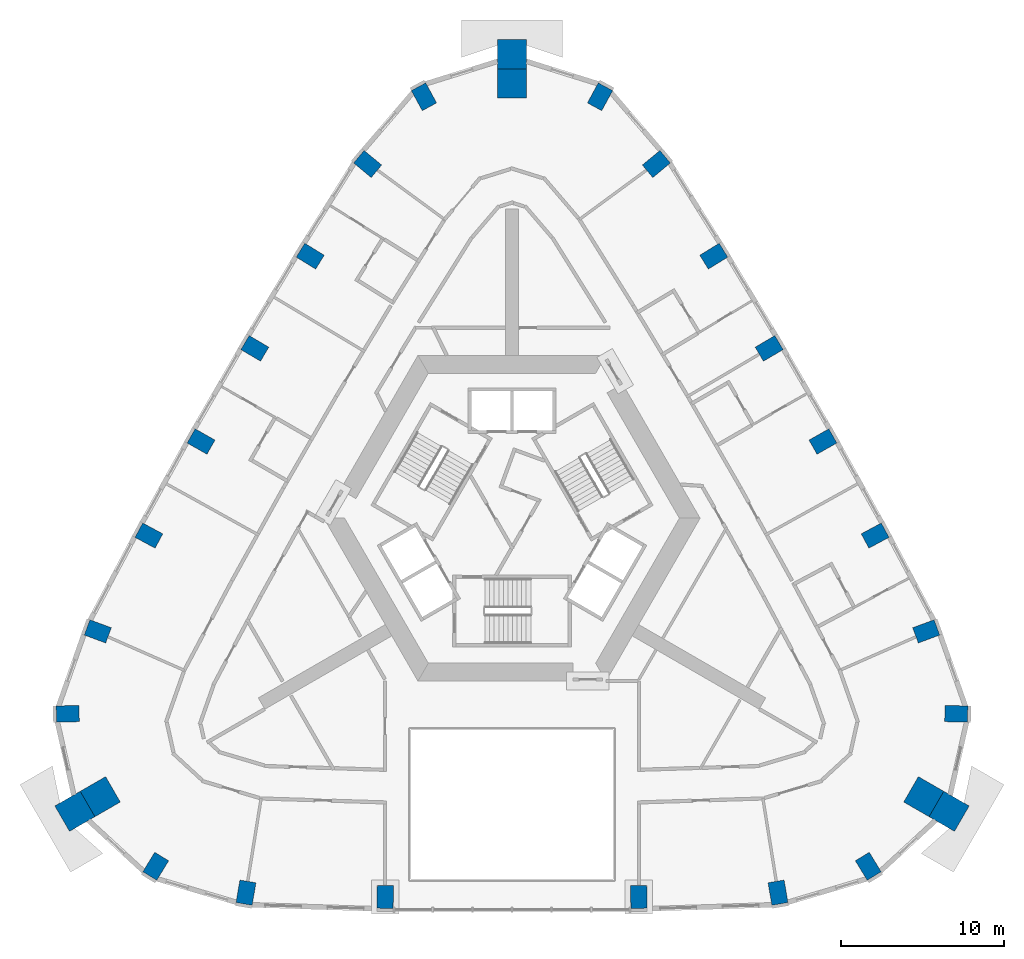
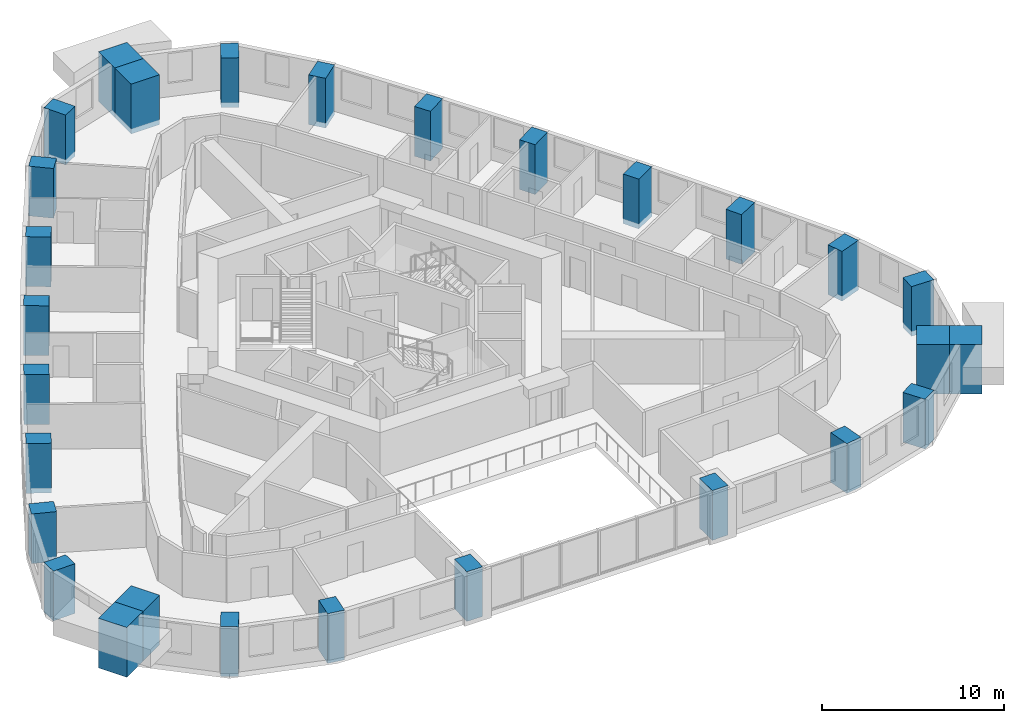
# One storey, part 1 of 12: 28 columns.
"""IFC4 building model written with IfcOpenShell, lengths in metres."""

from ifc_helpers import new_model, si_unit, direction, frame, origin, origin_2d, place, context, subcontext, project, spatial, rectangle, extrude, material, material_profile, profile_set, type_object, element, save


model = new_model("IFC4")

# Units and contexts
model_context = context("Model", 3, precision=1e-05, world=origin(), true_north=direction((0.0, 1.0)))
body_context = subcontext(model_context, "Body", "Model", "MODEL_VIEW")
ifc_project = project(units=[si_unit("LENGTHUNIT", "METRE"), si_unit("AREAUNIT", "SQUARE_METRE"), si_unit("VOLUMEUNIT", "CUBIC_METRE"), si_unit("PLANEANGLEUNIT", "RADIAN"), si_unit("MASSUNIT", "GRAM", prefix="KILO")], contexts=[model_context])

# Site, building, storey
site_placement = place(None, origin())
site = spatial("IfcSite", under=ifc_project, at=site_placement, CompositionType="ELEMENT")
building_placement = place(site_placement, origin())
building = spatial("IfcBuilding", under=site, at=building_placement, Name="Entoto Arch Interchange Tower", CompositionType="ELEMENT")
storey_placement = place(building_placement, frame((0.0, 0.0, 277.39990234375)))
storey = spatial("IfcBuildingStorey", under=building, at=storey_placement, Name="L64", CompositionType="ELEMENT", Elevation=277.39990234375)

# Columns
ifc_material_1 = material(Name="Concrete C40/50", Category="concrete")
ifc_material_profile_1 = material_profile(ifc_material_1, rectangle(XDim=1.0, YDim=1.39990234375, at=origin_2d()))
ifc_profile_set_1 = profile_set([ifc_material_profile_1], Name="Concrete C40/50")
column_type_1 = type_object("IfcColumnType", Name="Column RC 1000x1400 C40/50", PredefinedType="COLUMN", material=ifc_profile_set_1)
for number, where, z_axis, x_axis, name in (
    (1, (-16.330078125, -20.487060546875, -0.33984375), (0.0, 0.0, 1.0), (-0.985952343326, 0.167026874157, 0.0), "Column S01 L64"),
    (2, (-7.783935546875, -20.75, -0.33984375), (0.0, 0.0, 1.0), (-0.999832723398, 0.018290030661, 0.0), "Column S02 L64"),
    (3, (7.783935546875, -20.75, -0.33984375), (0.0, 0.0, 1.0), (0.999832723398, 0.018290030661, 0.0), "Column S03 L64"),
    (4, (16.330078125, -20.487060546875, -0.33984375), (0.0, 0.0, 1.0), (0.985952343326, 0.167026874157, 0.0), "Column S04 L64"),
    (5, (21.87109375, -18.866943359375, -0.33984375), (0.0, 0.0, 1.0), (0.853341581839, 0.521352227103, 0.0), "Column SE1 L64"),
    (6, (27.27392578125, -9.507080078125, -0.33984375), (0.0, 0.0, 1.0), (0.024833482072, 0.999691601529, 0.0), "Column SE3 L64"),
    (7, (25.428955078125, -4.447998046875, -0.33984375), (0.0, 0.0, 1.0), (-0.346853804003, 0.937919206888, 0.0), "Column NE01 L64"),
    (8, (22.2919921875, 1.43310546875, -0.33984375), (0.0, 0.0, 1.0), (-0.473980634908, 0.880535267739, 0.0), "Column NE02 L64"),
    (9, (19.089111328125, 7.2080078125, -0.33984375), (0.0, 0.0, 1.0), (-0.491375053773, 0.870948079124, 0.0), "Column NE03 L64"),
    (10, (15.787109375, 12.927001953125, -0.33984375), (0.0, 0.0, 1.0), (-0.508575635012, 0.861017318916, 0.0), "Column NE04 L64"),
    (11, (12.386962890625, 18.587890625, -0.33984375), (0.0, 0.0, 1.0), (-0.525575593337, 0.850746904601, 0.0), "Column NE05 L64"),
    (12, (8.862060546875, 24.24609375, -0.33984375), (0.0, 0.0, 1.0), (-0.638834957861, 0.769343809109, 0.0), "Column NE06 L64"),
    (13, (5.403076171875, 28.3740234375, -0.33984375), (0.0, 0.0, 1.0), (-0.87817506391, 0.478339374426, 0.0), "Column N1 L64"),
    (14, (-5.403076171875, 28.3740234375, -0.33984375), (0.0, 0.0, 1.0), (0.87817506391, 0.478339374426, 0.0), "Column N3 L64"),
    (15, (-8.862060546875, 24.24609375, -0.33984375), (0.0, 0.0, 1.0), (0.638834957861, 0.769343809109, 0.0), "Column NW01 L64"),
    (16, (-12.386962890625, 18.587890625, -0.33984375), (0.0, 0.0, 1.0), (0.525575593337, 0.850746904601, 0.0), "Column NW02 L64"),
    (17, (-15.787109375, 12.927001953125, -0.33984375), (0.0, 0.0, 1.0), (0.508575635012, 0.861017318916, 0.0), "Column NW03 L64"),
    (18, (-19.089111328125, 7.2080078125, -0.33984375), (0.0, 0.0, 1.0), (0.491375053773, 0.870948079124, 0.0), "Column NW04 L64"),
    (19, (-22.2919921875, 1.43310546875, -0.33984375), (0.0, 0.0, 1.0), (0.473980634908, 0.880535267739, 0.0), "Column NW05 L64"),
    (20, (-25.428955078125, -4.447998046875, -0.33984375), (0.0, 0.0, 1.0), (0.346853804003, 0.937919206888, 0.0), "Column NW06 L64"),
    (21, (-27.27392578125, -9.507080078125, -0.33984375), (0.0, 0.0, 1.0), (-0.024833482072, 0.999691601529, 0.0), "Column SW1 L64"),
    (22, (-21.87109375, -18.866943359375, -0.33984375), (0.0, 0.0, 1.0), (-0.853341581839, 0.521352227103, 0.0), "Column SW3 L64"),
):
    element("IfcColumn", number, at=place(storey_placement, frame(where, z_axis=z_axis, x_axis=x_axis)), inside=storey, type_object=column_type_1, Name=name, PredefinedType="COLUMN", context=body_context, shape_type="SweptSolid", body=[
        extrude(rectangle(XDim=1.0, YDim=1.39990234375, at=origin_2d()), origin(), (0.0, 0.0, 1.0), 3.33984375),
    ])
ifc_material_2 = material(Name="Precast concrete C40/50", Category="concrete")
ifc_material_profile_2 = material_profile(ifc_material_2, rectangle(XDim=1.800048828125, YDim=1.800048828125, at=origin_2d()))
ifc_profile_set_2 = profile_set([ifc_material_profile_2], Name="Precast concrete C40/50")
column_type_2 = type_object("IfcColumnType", Name="Frame post RC 1800x1800 precast C40/50", PredefinedType="COLUMN", material=ifc_profile_set_2)
for number, where, z_axis, x_axis, name in (
    (23, (26.8359375, -15.493896484375, -0.33984375), (0.0, 0.0, 1.0), (-0.866025403784, 0.5, 0.0), "Frame post SE L64"),
    (24, (0.0, 30.988037109375, -0.33984375), (0.0, 0.0, 1.0), (0.0, 1.0, 0.0), "Frame post N L64"),
    (25, (-26.8359375, -15.493896484375, -0.33984375), (0.0, 0.0, 1.0), (0.866025403784, 0.5, 0.0), "Frame post SW L64"),
):
    element("IfcColumn", number, at=place(storey_placement, frame(where, z_axis=z_axis, x_axis=x_axis)), inside=storey, type_object=column_type_2, Name=name, PredefinedType="COLUMN", context=body_context, shape_type="SweptSolid", body=[
        extrude(rectangle(XDim=1.800048828125, YDim=1.800048828125, at=origin_2d()), origin(), (0.0, 0.0, 1.0), 3.33984375),
    ])
ifc_material_profile_3 = material_profile(ifc_material_1, rectangle(XDim=1.800048828125, YDim=1.800048828125, at=origin_2d()))
ifc_profile_set_3 = profile_set([ifc_material_profile_3], Name="Concrete C40/50")
column_type_3 = type_object("IfcColumnType", Name="Mega column RC 1800x1800 C40/50", PredefinedType="COLUMN", material=ifc_profile_set_3)
for number, where, z_axis, x_axis, name in (
    (26, (25.277099609375, -14.593994140625, -0.33984375), (0.0, 0.0, 1.0), (-0.866025403784, 0.5, 0.0), "Corner mega column SE2 L64"),
    (27, (0.0, 29.18798828125, -0.33984375), (0.0, 0.0, 1.0), (0.0, 1.0, 0.0), "Corner mega column N2 L64"),
    (28, (-25.277099609375, -14.593994140625, -0.33984375), (0.0, 0.0, 1.0), (0.866025403784, 0.5, 0.0), "Corner mega column SW2 L64"),
):
    element("IfcColumn", number, at=place(storey_placement, frame(where, z_axis=z_axis, x_axis=x_axis)), inside=storey, type_object=column_type_3, Name=name, PredefinedType="COLUMN", context=body_context, shape_type="SweptSolid", body=[
        extrude(rectangle(XDim=1.800048828125, YDim=1.800048828125, at=origin_2d()), origin(), (0.0, 0.0, 1.0), 3.33984375),
    ])

save(model, "model.ifc")
